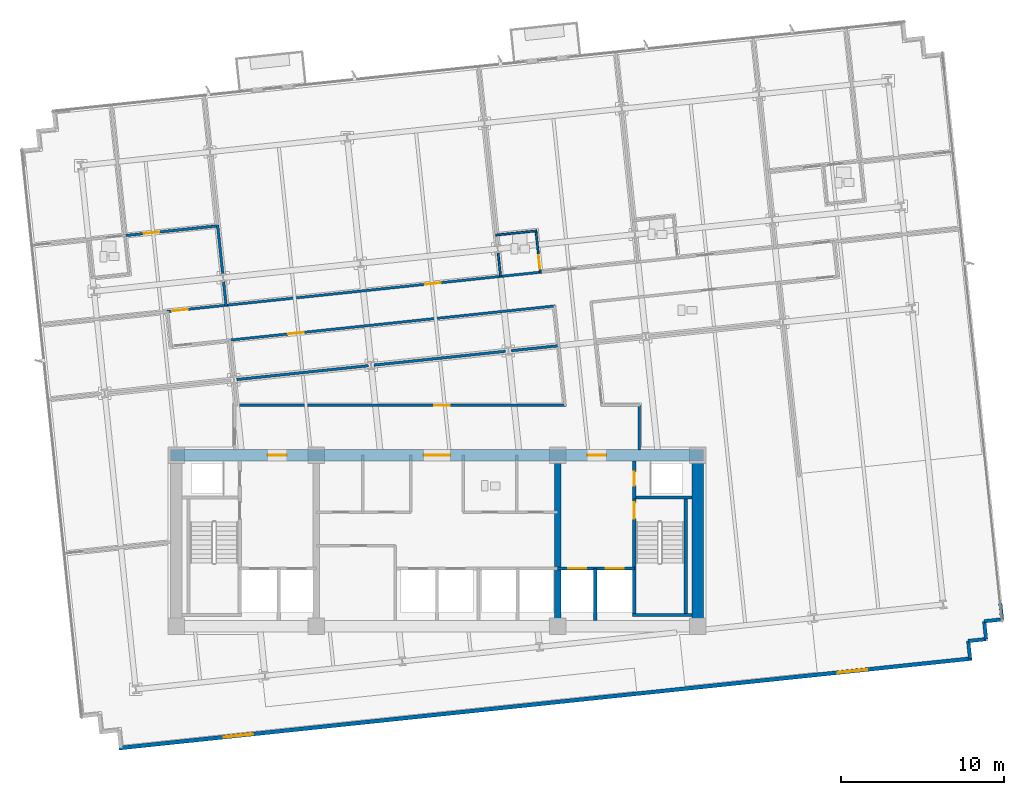
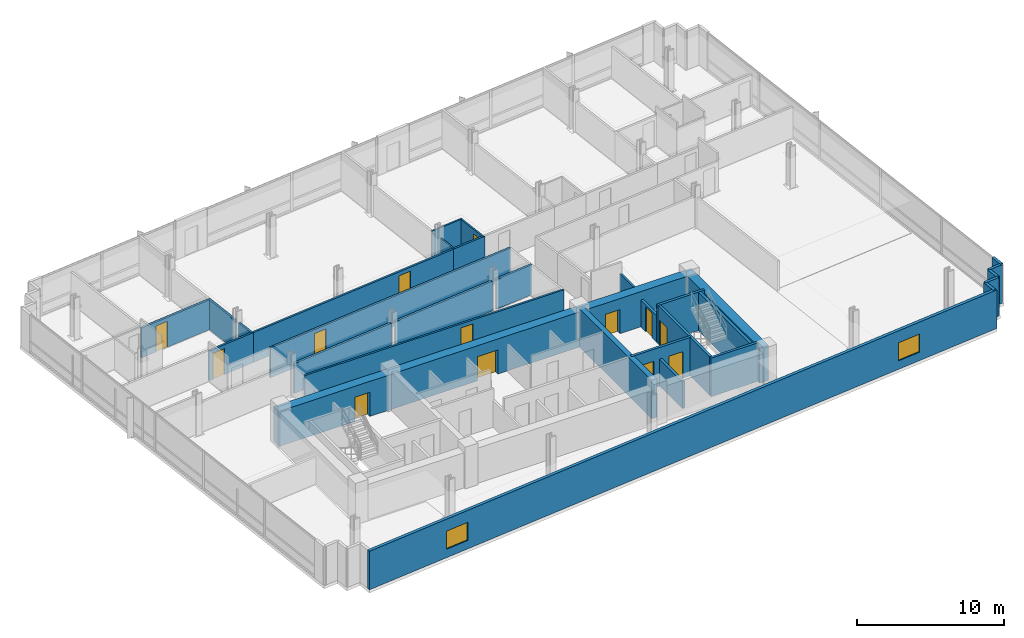
# One storey, part 11 of 18: 31 walls, 13 doors, 2 windows, 15 openings.
"""IFC4 building model written with IfcOpenShell, lengths in metres."""

from ifc_helpers import new_model, si_unit, direction, frame, frame_2d, origin, place, context, subcontext, project, spatial, rectangle, extrude, material, layer, layer_set, type_object, element, fill, save


model = new_model("IFC4")

# Units and contexts
model_context = context("Model", 3, precision=1e-05, world=origin(), true_north=direction((0.0, 1.0)))
body_context = subcontext(model_context, "Body", "Model", "MODEL_VIEW")
ifc_project = project(units=[si_unit("LENGTHUNIT", "METRE"), si_unit("AREAUNIT", "SQUARE_METRE"), si_unit("VOLUMEUNIT", "CUBIC_METRE"), si_unit("PLANEANGLEUNIT", "RADIAN"), si_unit("MASSUNIT", "GRAM", prefix="KILO")], contexts=[model_context])

# Site, building, storey
site_placement = place(None, origin())
site = spatial("IfcSite", under=ifc_project, at=site_placement, CompositionType="ELEMENT")
building_placement = place(site_placement, origin())
building = spatial("IfcBuilding", under=site, at=building_placement, Name="Solmavex Isthmus Hotel", CompositionType="ELEMENT")
storey_placement = place(building_placement, frame((0.0, 0.0, 123.60009765625)))
storey = spatial("IfcBuildingStorey", under=building, at=storey_placement, Name="L33", CompositionType="ELEMENT", Elevation=123.60009765625)

# Wall, openings, windows
ifc_material_1 = material(Name="Precast Concrete C40/50", Category="concrete")
ifc_layer_1 = layer(ifc_material_1, 0.25)
ifc_layer_set_1 = layer_set([ifc_layer_1], Name="Precast Concrete C40/50")
wall_type_1 = type_object("IfcWallType", Name="EW-TWR-250", PredefinedType="STANDARD", material=ifc_layer_set_1)
wall_1_placement = place(storey_placement, frame((-19.504150390625, -20.4716796875, 0.0), z_axis=(0.0, 0.0, 1.0), x_axis=(0.994521743132, 0.104529911687, 0.0)))
wall_1 = element("IfcWall", 1, at=wall_1_placement, inside=storey, type_object=wall_type_1, Name="Tower Rear South Facade Wall L33", PredefinedType="STANDARD", context=body_context, shape_type="SweptSolid", body=[
    extrude(rectangle(XDim=52.60009765625, YDim=0.239990234375, at=frame_2d((26.300048828125, 0.0))), origin(), (0.0, 0.0, 1.0), 3.18994140625),
])
opening_1_placement = place(wall_1_placement, frame((6.464111328125, 0.0, 0.699951171875)))
opening_1 = element("IfcOpeningElement", 2, at=opening_1_placement, cuts=wall_1, Name="Opening WN-02", PredefinedType="OPENING", context=body_context, shape_type="SweptSolid", body=[
    extrude(rectangle(XDim=1.800048828125, YDim=1.5, at=frame_2d((0.89990234375, 0.75))), frame((0.0, 0.1298828125, 0.0), z_axis=(0.0, -1.0, 0.0), x_axis=(1.0, 0.0, 0.0)), (0.0, 0.0, 1.0), 0.260009765625),
])
opening_2_placement = place(wall_1_placement, frame((44.3359375, 0.0, 0.699951171875)))
opening_2 = element("IfcOpeningElement", 3, at=opening_2_placement, cuts=wall_1, Name="Opening WN-02", PredefinedType="OPENING", context=body_context, shape_type="SweptSolid", body=[
    extrude(rectangle(XDim=1.800048828125, YDim=1.5, at=frame_2d((0.89990234375, 0.75))), frame((0.0, 0.1298828125, 0.0), z_axis=(0.0, -1.0, 0.0), x_axis=(1.0, 0.0, 0.0)), (0.0, 0.0, 1.0), 0.260009765625),
])
ifc_material_2 = material(Name="Clear low-E laminated glass", Category="glass")
window_type = type_object("IfcWindowType", Name="WIN-TWR-1800", PartitioningType="SINGLE_PANEL", PredefinedType="WINDOW", material=ifc_material_2)
window_1_placement = place(opening_1_placement, origin())
window_1 = element("IfcWindow", 4, at=window_1_placement, inside=storey, type_object=window_type, Name="South Facade Vision Window L33-S1", OverallHeight=1.5, OverallWidth=1.800048828125, PartitioningType="SINGLE_PANEL", PredefinedType="WINDOW", context=body_context, shape_type="SweptSolid", body=[
    extrude(rectangle(XDim=1.800048828125, YDim=1.5, at=frame_2d((0.89990234375, 0.75))), frame((0.0, 0.030029296875, 0.0), z_axis=(0.0, -1.0, 0.0), x_axis=(1.0, 0.0, 0.0)), (0.0, 0.0, 1.0), 0.06005859375),
])
fill(opening_1, window_1)
window_2_placement = place(opening_2_placement, origin())
window_2 = element("IfcWindow", 5, at=window_2_placement, inside=storey, type_object=window_type, Name="South Facade Vision Window L33-S2", OverallHeight=1.5, OverallWidth=1.800048828125, PartitioningType="SINGLE_PANEL", PredefinedType="WINDOW", context=body_context, shape_type="SweptSolid", body=[
    extrude(rectangle(XDim=1.800048828125, YDim=1.5, at=frame_2d((0.89990234375, 0.75))), frame((0.0, 0.030029296875, 0.0), z_axis=(0.0, -1.0, 0.0), x_axis=(1.0, 0.0, 0.0)), (0.0, 0.0, 1.0), 0.06005859375),
])
fill(opening_2, window_2)

# Walls
wall_2_placement = place(storey_placement, frame((34.553955078125, -11.59228515625, 0.0), z_axis=(0.0, 0.0, 1.0), x_axis=(0.104556418955, -0.99451895671, 0.0)))
element("IfcWall", 6, at=wall_2_placement, inside=storey, type_object=wall_type_1, Name="Serrated Corner Facade Panel L33-21", PredefinedType="STANDARD", context=body_context, shape_type="SweptSolid", body=[
    extrude(rectangle(XDim=0.989990234375, YDim=0.219970703125, at=frame_2d((0.4951171875, 0.0))), origin(), (0.0, 0.0, 1.0), 3.18994140625),
])
for number, where, z_axis, x_axis, name in (
    (7, (34.657470703125, -12.576904296875, 0.0), (0.0, 0.0, 1.0), (-0.994521251134, -0.104534592565, 0.0), "Serrated Corner Facade Panel L33-22"),
    (8, (33.5634765625, -12.69189453125, 0.0), (0.0, 0.0, 1.0), (0.104534592565, -0.994521251134, 0.0), "Serrated Corner Facade Panel L33-23"),
    (9, (33.678466796875, -13.785888671875, 0.0), (0.0, 0.0, 1.0), (-0.994521251134, -0.104534592565, 0.0), "Serrated Corner Facade Panel L33-24"),
    (10, (32.58447265625, -13.90087890625, 0.0), (0.0, 0.0, 1.0), (0.104534592565, -0.994521251134, 0.0), "Serrated Corner Facade Panel L33-25"),
):
    element("IfcWall", number, at=place(storey_placement, frame(where, z_axis=z_axis, x_axis=x_axis)), inside=storey, type_object=wall_type_1, Name=name, PredefinedType="STANDARD", context=body_context, shape_type="SweptSolid", body=[
        extrude(rectangle(XDim=1.10009765625, YDim=0.219970703125, at=frame_2d((0.550048828125, 0.0))), origin(), (0.0, 0.0, 1.0), 3.18994140625),
    ])

# Wall, opening, door
ifc_material_3 = material(Name="Gypsum plasterboard lining", Category="gypsum")
ifc_layer_2 = layer(ifc_material_3, 0.159912109375)
ifc_layer_set_2 = layer_set([ifc_layer_2], Name="Gypsum plasterboard lining")
wall_type_2 = type_object("IfcWallType", Name="IW-COMP-160", PredefinedType="PARTITIONING", material=ifc_layer_set_2)
wall_3_placement = place(storey_placement, frame((-19.19384765625, 10.9609375, 0.0), z_axis=(0.0, 0.0, 1.0), x_axis=(0.994518330886, 0.104562371486, 0.0)))
wall_3 = element("IfcWall", 11, at=wall_3_placement, inside=storey, type_object=wall_type_2, Name="Interior Partition Wall W-L33-P023", PredefinedType="PARTITIONING", context=body_context, shape_type="SweptSolid", body=[
    extrude(rectangle(XDim=5.81396484375, YDim=0.159912109375, at=frame_2d((2.906982421875, 0.0))), origin(), (0.0, 0.0, 1.0), 2.4794921875),
])
opening_3_placement = place(wall_3_placement, frame((1.227783203125, 0.0, 0.0)))
opening_3 = element("IfcOpeningElement", 12, at=opening_3_placement, cuts=wall_3, Name="Opening ID-C095", PredefinedType="OPENING", context=body_context, shape_type="SweptSolid", body=[
    extrude(rectangle(XDim=0.949951171875, YDim=2.14990234375, at=frame_2d((0.47509765625, 1.074951171875))), frame((0.0, 0.08984375, 0.0), z_axis=(0.0, -1.0, 0.0), x_axis=(1.0, 0.0, 0.0)), (0.0, 0.0, 1.0), 0.179931640625),
])
ifc_material_4 = material(Name="Hardwood timber", Category="wood")
door_type_1 = type_object("IfcDoorType", Name="IDR-FD60-0950", OperationType="NOTDEFINED", PredefinedType="DOOR", material=ifc_material_4)
door_1_placement = place(opening_3_placement, origin())
door_1 = element("IfcDoor", 13, at=door_1_placement, inside=storey, type_object=door_type_1, Name="Premier Corner Suite Sitting Lounge Door L33-03", OperationType="SINGLE_SWING_LEFT", OverallHeight=2.14990234375, OverallWidth=0.949951171875, PredefinedType="DOOR", context=body_context, shape_type="SweptSolid", body=[
    extrude(rectangle(XDim=0.949951171875, YDim=2.14990234375, at=frame_2d((0.47509765625, 1.074951171875))), frame((0.0, 0.02490234375, 0.0), z_axis=(0.0, -1.0, 0.0), x_axis=(1.0, 0.0, 0.0)), (0.0, 0.0, 1.0), 0.050048828125),
])
fill(opening_3, door_1)

# Walls
wall_4_placement = place(storey_placement, frame((-13.455810546875, 11.604248046875, 0.0), z_axis=(0.0, 0.0, 1.0), x_axis=(0.104552041268, -0.994519416938, 0.0)))
element("IfcWall", 14, at=wall_4_placement, inside=storey, type_object=wall_type_2, Name="Interior Partition Wall W-L33-P027", PredefinedType="PARTITIONING", context=body_context, shape_type="SweptSolid", body=[
    extrude(rectangle(XDim=3.063720703125, YDim=0.159912109375, at=frame_2d((1.53173828125, 0.0))), origin(), (0.0, 0.0, 1.0), 2.4794921875),
])
wall_5_placement = place(storey_placement, frame((-13.0986328125, 8.206787109375, 0.0), z_axis=(0.0, 0.0, 1.0), x_axis=(0.104578999325, -0.994516582516, 0.0)))
element("IfcWall", 15, at=wall_5_placement, inside=storey, type_object=wall_type_2, Name="Interior Partition Wall W-L33-P028", PredefinedType="PARTITIONING", context=body_context, shape_type="SweptSolid", body=[
    extrude(rectangle(XDim=1.561767578125, YDim=0.159912109375, at=frame_2d((0.78076171875, 0.0))), origin(), (0.0, 0.0, 1.0), 2.4794921875),
])
wall_6_placement = place(storey_placement, frame((-4.21435546875, 2.985107421875, 0.0), z_axis=(0.0, 0.0, 1.0), x_axis=(-0.994521269983, -0.104534413238, 0.0)))
element("IfcWall", 16, at=wall_6_placement, inside=storey, type_object=wall_type_2, Name="Interior Partition Wall W-L33-P062", PredefinedType="PARTITIONING", context=body_context, shape_type="SweptSolid", body=[
    extrude(rectangle(XDim=8.113525390625, YDim=0.159912109375, at=frame_2d((4.056640625, 0.0))), origin(), (0.0, 0.0, 1.0), 2.4794921875),
])
wall_7_placement = place(storey_placement, frame((4.205322265625, 3.8701171875, 0.0), z_axis=(0.0, 0.0, 1.0), x_axis=(-0.994521598781, -0.104531285071, 0.0)))
element("IfcWall", 17, at=wall_7_placement, inside=storey, type_object=wall_type_2, Name="Interior Partition Wall W-L33-P063", PredefinedType="PARTITIONING", context=body_context, shape_type="SweptSolid", body=[
    extrude(rectangle(XDim=8.11376953125, YDim=0.159912109375, at=frame_2d((4.056884765625, 0.0))), origin(), (0.0, 0.0, 1.0), 2.4794921875),
])
wall_8_placement = place(storey_placement, frame((7.51611328125, 4.218017578125, 0.0), z_axis=(0.0, 0.0, 1.0), x_axis=(-0.994526106058, -0.104488393462, 0.0)))
element("IfcWall", 18, at=wall_8_placement, inside=storey, type_object=wall_type_2, Name="Interior Partition Wall W-L33-P064", PredefinedType="PARTITIONING", context=body_context, shape_type="SweptSolid", body=[
    extrude(rectangle(XDim=2.976806640625, YDim=0.159912109375, at=frame_2d((1.48828125, 0.0))), origin(), (0.0, 0.0, 1.0), 2.4794921875),
])

# Wall, opening, door
ifc_layer_3 = layer(ifc_material_3, 0.14990234375)
ifc_layer_set_3 = layer_set([ifc_layer_3], Name="Gypsum plasterboard lining")
wall_type_3 = type_object("IfcWallType", Name="IW-CORR-150", PredefinedType="PARTITIONING", material=ifc_layer_set_3)
wall_9_placement = place(storey_placement, frame((-16.5595703125, 6.31298828125, 0.0), z_axis=(0.0, 0.0, 1.0), x_axis=(0.994525204328, 0.104496975826, 0.0)))
wall_9 = element("IfcWall", 19, at=wall_9_placement, inside=storey, type_object=wall_type_3, Name="Interior Partition Wall W-L33-P001", PredefinedType="PARTITIONING", context=body_context, shape_type="SweptSolid", body=[
    extrude(rectangle(XDim=3.7216796875, YDim=0.14990234375, at=frame_2d((1.86083984375, 0.0))), origin(), (0.0, 0.0, 1.0), 2.4794921875),
])
opening_4_placement = place(wall_9_placement, frame((0.315185546875, 0.0, 0.0)))
opening_4 = element("IfcOpeningElement", 20, at=opening_4_placement, cuts=wall_9, Name="Opening ID-C095", PredefinedType="OPENING", context=body_context, shape_type="SweptSolid", body=[
    extrude(rectangle(XDim=0.949951171875, YDim=2.14990234375, at=frame_2d((0.47509765625, 1.074951171875))), frame((0.0, 0.0849609375, 0.0), z_axis=(0.0, -1.0, 0.0), x_axis=(1.0, 0.0, 0.0)), (0.0, 0.0, 1.0), 0.169921875),
])
door_2_placement = place(opening_4_placement, frame((0.949951171875, 0.0, 0.0), z_axis=(0.0, 0.0, 1.0), x_axis=(-1.0, 0.0, 0.0)))
door_2 = element("IfcDoor", 21, at=door_2_placement, inside=storey, type_object=door_type_1, Name="Premier Corner Suite Reception Foyer Door L33-01", OperationType="SINGLE_SWING_LEFT", OverallHeight=2.14990234375, OverallWidth=0.949951171875, PredefinedType="DOOR", context=body_context, shape_type="SweptSolid", body=[
    extrude(rectangle(XDim=0.949951171875, YDim=2.14990234375, at=frame_2d((0.47509765625, 1.074951171875))), frame((0.0, 0.02490234375, 0.0), z_axis=(0.0, -1.0, 0.0), x_axis=(1.0, 0.0, 0.0)), (0.0, 0.0, 1.0), 0.050048828125),
])
fill(opening_4, door_2)

wall_10_placement = place(storey_placement, frame((-13.021240234375, 6.684814453125, 0.0), z_axis=(0.0, 0.0, 1.0), x_axis=(0.994521404201, 0.104533136308, 0.0)))
wall_10 = element("IfcWall", 22, at=wall_10_placement, inside=storey, type_object=wall_type_3, Name="Interior Partition Wall W-L33-P002", PredefinedType="PARTITIONING", context=body_context, shape_type="SweptSolid", body=[
    extrude(rectangle(XDim=17.09619140625, YDim=0.14990234375, at=frame_2d((8.548095703125, 0.0))), origin(), (0.0, 0.0, 1.0), 2.4794921875),
])
opening_5_placement = place(wall_10_placement, frame((12.361083984375, 0.0, 0.0)))
opening_5 = element("IfcOpeningElement", 23, at=opening_5_placement, cuts=wall_10, Name="Opening ID-C095", PredefinedType="OPENING", context=body_context, shape_type="SweptSolid", body=[
    extrude(rectangle(XDim=0.949951171875, YDim=2.14990234375, at=frame_2d((0.47509765625, 1.074951171875))), frame((0.0, 0.0849609375, 0.0), z_axis=(0.0, -1.0, 0.0), x_axis=(1.0, 0.0, 0.0)), (0.0, 0.0, 1.0), 0.169921875),
])
door_3_placement = place(opening_5_placement, frame((0.949951171875, 0.0, 0.0), z_axis=(0.0, 0.0, 1.0), x_axis=(-1.0, 0.0, 0.0)))
door_3 = element("IfcDoor", 24, at=door_3_placement, inside=storey, type_object=door_type_1, Name="Corporate Briefing Office Door L33-05", OperationType="SINGLE_SWING_LEFT", OverallHeight=2.14990234375, OverallWidth=0.949951171875, PredefinedType="DOOR", context=body_context, shape_type="SweptSolid", body=[
    extrude(rectangle(XDim=0.949951171875, YDim=2.14990234375, at=frame_2d((0.47509765625, 1.074951171875))), frame((0.0, 0.02490234375, 0.0), z_axis=(0.0, -1.0, 0.0), x_axis=(1.0, 0.0, 0.0)), (0.0, 0.0, 1.0), 0.050048828125),
])
fill(opening_5, door_3)

# Wall
wall_11_placement = place(storey_placement, frame((3.818115234375, 8.454833984375, 0.0), z_axis=(0.0, 0.0, 1.0), x_axis=(0.994523350694, 0.104514615837, 0.0)))
element("IfcWall", 25, at=wall_11_placement, inside=storey, type_object=wall_type_3, Name="Interior Partition Wall W-L33-P004", PredefinedType="PARTITIONING", context=body_context, shape_type="SweptSolid", body=[
    extrude(rectangle(XDim=2.614013671875, YDim=0.14990234375, at=frame_2d((1.30712890625, 0.0))), origin(), (0.0, 0.0, 1.0), 2.4794921875),
])

# Wall, opening, door
wall_12_placement = place(storey_placement, frame((7.260009765625, 6.654541015625, 0.0), z_axis=(0.0, 0.0, 1.0), x_axis=(-0.994522421445, -0.104523457861, 0.0)))
wall_12 = element("IfcWall", 26, at=wall_12_placement, inside=storey, type_object=wall_type_3, Name="Interior Partition Wall W-L33-P013", PredefinedType="PARTITIONING", context=body_context, shape_type="SweptSolid", body=[
    extrude(rectangle(XDim=20.166748046875, YDim=0.14990234375, at=frame_2d((10.08349609375, 0.0))), origin(), (0.0, 0.0, 1.0), 2.4794921875),
])
opening_6_placement = place(wall_12_placement, frame((15.51416015625, 0.0, 0.0)))
opening_6 = element("IfcOpeningElement", 27, at=opening_6_placement, cuts=wall_12, Name="Opening ID-C095", PredefinedType="OPENING", context=body_context, shape_type="SweptSolid", body=[
    extrude(rectangle(XDim=0.949951171875, YDim=2.14990234375, at=frame_2d((0.47509765625, 1.074951171875))), frame((0.0, 0.0849609375, 0.0), z_axis=(0.0, -1.0, 0.0), x_axis=(1.0, 0.0, 0.0)), (0.0, 0.0, 1.0), 0.169921875),
])
door_4_placement = place(opening_6_placement, frame((0.949951171875, 0.0, 0.0), z_axis=(0.0, 0.0, 1.0), x_axis=(-1.0, 0.0, 0.0)))
door_4 = element("IfcDoor", 28, at=door_4_placement, inside=storey, type_object=door_type_1, Name="Executive Boardroom Door L33-16", OperationType="SINGLE_SWING_RIGHT", OverallHeight=2.14990234375, OverallWidth=0.949951171875, PredefinedType="DOOR", context=body_context, shape_type="SweptSolid", body=[
    extrude(rectangle(XDim=0.949951171875, YDim=2.14990234375, at=frame_2d((0.47509765625, 1.074951171875))), frame((0.0, 0.02490234375, 0.0), z_axis=(0.0, -1.0, 0.0), x_axis=(1.0, 0.0, 0.0)), (0.0, 0.0, 1.0), 0.050048828125),
])
fill(opening_6, door_4)

wall_13_placement = place(storey_placement, frame((-12.376220703125, 0.550048828125, 0.0), z_axis=(0.0, 0.0, 1.0), x_axis=(1.0, 0.0, 0.0)))
wall_13 = element("IfcWall", 29, at=wall_13_placement, inside=storey, type_object=wall_type_3, Name="Interior Partition Wall W-L33-P014", PredefinedType="PARTITIONING", context=body_context, shape_type="SweptSolid", body=[
    extrude(rectangle(XDim=20.27783203125, YDim=0.14990234375, at=frame_2d((10.138916015625, 0.0))), origin(), (0.0, 0.0, 1.0), 2.4794921875),
])
opening_7_placement = place(wall_13_placement, frame((12.208740234375, 0.0, 0.0)))
opening_7 = element("IfcOpeningElement", 30, at=opening_7_placement, cuts=wall_13, Name="Opening ID-C095", PredefinedType="OPENING", context=body_context, shape_type="SweptSolid", body=[
    extrude(rectangle(XDim=0.949951171875, YDim=2.14990234375, at=frame_2d((0.47509765625, 1.074951171875))), frame((0.0, 0.0849609375, 0.0), z_axis=(0.0, -1.0, 0.0), x_axis=(1.0, 0.0, 0.0)), (0.0, 0.0, 1.0), 0.169921875),
])
door_5_placement = place(opening_7_placement, frame((0.949951171875, 0.0, 0.0), z_axis=(0.0, 0.0, 1.0), x_axis=(-1.0, 0.0, 0.0)))
door_5 = element("IfcDoor", 31, at=door_5_placement, inside=storey, type_object=door_type_1, Name="Wellness Treatment Room Door L33-17", OperationType="SINGLE_SWING_LEFT", OverallHeight=2.14990234375, OverallWidth=0.949951171875, PredefinedType="DOOR", context=body_context, shape_type="SweptSolid", body=[
    extrude(rectangle(XDim=0.949951171875, YDim=2.14990234375, at=frame_2d((0.47509765625, 1.074951171875))), frame((0.0, 0.02490234375, 0.0), z_axis=(0.0, -1.0, 0.0), x_axis=(1.0, 0.0, 0.0)), (0.0, 0.0, 1.0), 0.050048828125),
])
fill(opening_7, door_5)

# Walls
wall_14_placement = place(storey_placement, frame((12.39990234375, 0.590087890625, 0.0), z_axis=(0.0, 0.0, 1.0), x_axis=(0.0, -1.0, 0.0)))
element("IfcWall", 32, at=wall_14_placement, inside=storey, type_object=wall_type_3, Name="Interior Partition Wall W-L33-P021", PredefinedType="PARTITIONING", context=body_context, shape_type="SweptSolid", body=[
    extrude(rectangle(XDim=2.780029296875, YDim=0.14990234375, at=frame_2d((1.39013671875, 0.0))), origin(), (0.0, 0.0, 1.0), 2.224853515625),
])
ifc_layer_4 = layer(ifc_material_3, 0.1201171875)
ifc_layer_set_4 = layer_set([ifc_layer_4], Name="Gypsum plasterboard lining")
wall_type_4 = type_object("IfcWallType", Name="IW-PART-120", PredefinedType="PARTITIONING", material=ifc_layer_set_4)
wall_15_placement = place(storey_placement, frame((3.740478515625, 9.976806640625, 0.0), z_axis=(0.0, 0.0, 1.0), x_axis=(0.104578999325, -0.994516582516, 0.0)))
element("IfcWall", 33, at=wall_15_placement, inside=storey, type_object=wall_type_4, Name="Interior Partition Wall W-L33-P036", PredefinedType="PARTITIONING", context=body_context, shape_type="SweptSolid", body=[
    extrude(rectangle(XDim=1.561767578125, YDim=0.1201171875, at=frame_2d((0.78076171875, 0.0))), origin(), (0.0, 0.0, 1.0), 2.4794921875),
])

# Wall, opening, door
wall_16_placement = place(storey_placement, frame((6.34033203125, 8.6796875, 0.0), z_axis=(0.0, 0.0, 1.0), x_axis=(-0.104530146087, 0.994521718495, 0.0)))
wall_16 = element("IfcWall", 34, at=wall_16_placement, inside=storey, type_object=wall_type_4, Name="Interior Partition Wall W-L33-P037", PredefinedType="PARTITIONING", context=body_context, shape_type="SweptSolid", body=[
    extrude(rectangle(XDim=2.6298828125, YDim=0.1201171875, at=frame_2d((1.31494140625, 0.0))), origin(), (0.0, 0.0, 1.0), 2.4794921875),
])
opening_8_placement = place(wall_16_placement, frame((0.247314453125, 0.0, 0.0)))
opening_8 = element("IfcOpeningElement", 35, at=opening_8_placement, cuts=wall_16, Name="Opening ID-U085", PredefinedType="OPENING", context=body_context, shape_type="SweptSolid", body=[
    extrude(rectangle(XDim=0.85009765625, YDim=2.10009765625, at=frame_2d((0.425048828125, 1.050048828125))), frame((0.0, 0.070068359375, 0.0), z_axis=(0.0, -1.0, 0.0), x_axis=(1.0, 0.0, 0.0)), (0.0, 0.0, 1.0), 0.14013671875),
])
door_type_2 = type_object("IfcDoorType", Name="IDR-UNR-0850", OperationType="NOTDEFINED", PredefinedType="DOOR", material=ifc_material_4)
door_6_placement = place(opening_8_placement, frame((0.85009765625, 0.0, 0.0), z_axis=(0.0, 0.0, 1.0), x_axis=(-1.0, 0.0, 0.0)))
door_6 = element("IfcDoor", 36, at=door_6_placement, inside=storey, type_object=door_type_2, Name="En-suite Bathroom Door L33-07", OperationType="SINGLE_SWING_LEFT", OverallHeight=2.10009765625, OverallWidth=0.85009765625, PredefinedType="DOOR", context=body_context, shape_type="SweptSolid", body=[
    extrude(rectangle(XDim=0.85009765625, YDim=2.10009765625, at=frame_2d((0.425048828125, 1.050048828125))), frame((0.0, 0.02490234375, 0.0), z_axis=(0.0, -1.0, 0.0), x_axis=(1.0, 0.0, 0.0)), (0.0, 0.0, 1.0), 0.050048828125),
])
fill(opening_8, door_6)

# Wall
wall_17_placement = place(storey_placement, frame((6.109375, 11.259521484375, 0.0), z_axis=(0.0, 0.0, 1.0), x_axis=(-0.994523944136, -0.104508968707, 0.0)))
element("IfcWall", 37, at=wall_17_placement, inside=storey, type_object=wall_type_4, Name="Interior Partition Wall W-L33-P038", PredefinedType="PARTITIONING", context=body_context, shape_type="SweptSolid", body=[
    extrude(rectangle(XDim=2.530029296875, YDim=0.1201171875, at=frame_2d((1.26513671875, 0.0))), origin(), (0.0, 0.0, 1.0), 2.4794921875),
])

# Wall, opening, door
ifc_material_5 = material(Name="Concrete C40/50", Category="concrete")
ifc_layer_5 = layer(ifc_material_5, 0.199951171875)
ifc_layer_set_5 = layer_set([ifc_layer_5], Name="Concrete C40/50")
wall_type_5 = type_object("IfcWallType", Name="IW-SHAFT-200", PredefinedType="PARTITIONING", material=ifc_layer_set_5)
wall_18_placement = place(storey_placement, frame((12.10009765625, -5.199951171875, 0.0), z_axis=(0.0, 0.0, 1.0), x_axis=(0.0, 1.0, 0.0)))
wall_18 = element("IfcWall", 38, at=wall_18_placement, inside=storey, type_object=wall_type_5, Name="Interior Partition Wall W-L33-RSE-W", PredefinedType="PARTITIONING", context=body_context, shape_type="SweptSolid", body=[
    extrude(rectangle(XDim=2.349853515625, YDim=0.199951171875, at=frame_2d((1.1748046875, 0.0))), origin(), (0.0, 0.0, 1.0), 2.224853515625),
])
opening_9_placement = place(wall_18_placement, frame((0.824951171875, 0.0, 0.0)))
opening_9 = element("IfcOpeningElement", 39, at=opening_9_placement, cuts=wall_18, Name="Opening ID-R085", PredefinedType="OPENING", context=body_context, shape_type="SweptSolid", body=[
    extrude(rectangle(XDim=0.85009765625, YDim=2.050048828125, at=frame_2d((0.425048828125, 1.02490234375))), frame((0.0, 0.10986328125, 0.0), z_axis=(0.0, -1.0, 0.0), x_axis=(1.0, 0.0, 0.0)), (0.0, 0.0, 1.0), 0.219970703125),
])
ifc_material_6 = material(Name="Steel ASTM A500 Grade C", Category="steel")
door_type_3 = type_object("IfcDoorType", Name="IDR-FD60-0850", OperationType="NOTDEFINED", PredefinedType="DOOR", material=ifc_material_6)
door_7_placement = place(opening_9_placement, frame((0.85009765625, 0.0, 0.0), z_axis=(0.0, 0.0, 1.0), x_axis=(-1.0, 0.0, 0.0)))
door_7 = element("IfcDoor", 40, at=door_7_placement, inside=storey, type_object=door_type_3, Name="Mechanical Riser Door L33", OperationType="SINGLE_SWING_LEFT", OverallHeight=2.050048828125, OverallWidth=0.85009765625, PredefinedType="DOOR", context=body_context, shape_type="SweptSolid", body=[
    extrude(rectangle(XDim=0.85009765625, YDim=2.050048828125, at=frame_2d((0.425048828125, 1.02490234375))), frame((0.0, 0.02490234375, 0.0), z_axis=(0.0, -1.0, 0.0), x_axis=(1.0, 0.0, 0.0)), (0.0, 0.0, 1.0), 0.050048828125),
])
fill(opening_9, door_7)

# Wall, openings, doors
wall_19_placement = place(storey_placement, frame((7.39990234375, -9.449951171875, 0.0), z_axis=(0.0, 0.0, 1.0), x_axis=(1.0, 0.0, 0.0)))
wall_19 = element("IfcWall", 41, at=wall_19_placement, inside=storey, type_object=wall_type_5, Name="Interior Partition Wall W-L33-FFLE-S", PredefinedType="PARTITIONING", context=body_context, shape_type="SweptSolid", body=[
    extrude(rectangle(XDim=4.7001953125, YDim=0.199951171875, at=frame_2d((2.35009765625, 0.0))), origin(), (0.0, 0.0, 1.0), 3.18994140625),
])
opening_10_placement = place(wall_19_placement, frame((2.949951171875, 0.0, 0.0)))
opening_10 = element("IfcOpeningElement", 42, at=opening_10_placement, cuts=wall_19, Name="Opening LD-FF", PredefinedType="OPENING", context=body_context, shape_type="SweptSolid", body=[
    extrude(rectangle(XDim=1.10009765625, YDim=2.199951171875, at=frame_2d((0.550048828125, 1.10009765625))), frame((0.0, 0.10986328125, 0.0), z_axis=(0.0, -1.0, 0.0), x_axis=(1.0, 0.0, 0.0)), (0.0, 0.0, 1.0), 0.219970703125),
])
opening_11_placement = place(wall_19_placement, frame((0.64990234375, 0.0, 0.0)))
opening_11 = element("IfcOpeningElement", 43, at=opening_11_placement, cuts=wall_19, Name="Opening LD-SV", PredefinedType="OPENING", context=body_context, shape_type="SweptSolid", body=[
    extrude(rectangle(XDim=1.10009765625, YDim=2.199951171875, at=frame_2d((0.550048828125, 1.10009765625))), frame((0.0, 0.10986328125, 0.0), z_axis=(0.0, -1.0, 0.0), x_axis=(1.0, 0.0, 0.0)), (0.0, 0.0, 1.0), 0.219970703125),
])
ifc_material_7 = material(Name="Stainless steel 316", Category="steel")
door_type_4 = type_object("IfcDoorType", Name="LDR-FF-1100", OperationType="NOTDEFINED", PredefinedType="DOOR", material=ifc_material_7)
door_8_placement = place(opening_10_placement, origin())
door_8 = element("IfcDoor", 44, at=door_8_placement, inside=storey, type_object=door_type_4, Name="Lift Landing Door FFL-2 L33", OperationType="SLIDING_TO_LEFT", OverallHeight=2.199951171875, OverallWidth=1.10009765625, PredefinedType="DOOR", context=body_context, shape_type="SweptSolid", body=[
    extrude(rectangle(XDim=1.10009765625, YDim=2.199951171875, at=frame_2d((0.550048828125, 1.10009765625))), frame((0.0, 0.02490234375, 0.0), z_axis=(0.0, -1.0, 0.0), x_axis=(1.0, 0.0, 0.0)), (0.0, 0.0, 1.0), 0.050048828125),
])
fill(opening_10, door_8)
door_type_5 = type_object("IfcDoorType", Name="LDR-SV-1100", OperationType="NOTDEFINED", PredefinedType="DOOR", material=ifc_material_7)
door_9_placement = place(opening_11_placement, origin())
door_9 = element("IfcDoor", 45, at=door_9_placement, inside=storey, type_object=door_type_5, Name="Lift Landing Door SVL-2 L33", OperationType="SLIDING_TO_RIGHT", OverallHeight=2.199951171875, OverallWidth=1.10009765625, PredefinedType="DOOR", context=body_context, shape_type="SweptSolid", body=[
    extrude(rectangle(XDim=1.10009765625, YDim=2.199951171875, at=frame_2d((0.550048828125, 1.10009765625))), frame((0.0, 0.02490234375, 0.0), z_axis=(0.0, -1.0, 0.0), x_axis=(1.0, 0.0, 0.0)), (0.0, 0.0, 1.0), 0.050048828125),
])
fill(opening_11, door_9)

# Walls
wall_20_placement = place(storey_placement, frame((9.699951171875, -12.64990234375, 0.0), z_axis=(0.0, 0.0, 1.0), x_axis=(0.0, 1.0, 0.0)))
element("IfcWall", 46, at=wall_20_placement, inside=storey, type_object=wall_type_5, Name="Interior Partition Wall W-L33-FFLE-M", PredefinedType="PARTITIONING", context=body_context, shape_type="SweptSolid", body=[
    extrude(rectangle(XDim=3.199951171875, YDim=0.199951171875, at=frame_2d((1.60009765625, 0.0))), origin(), (0.0, 0.0, 1.0), 2.224853515625),
])
ifc_material_8 = material(Name="Concrete C60/75", Category="concrete")
ifc_layer_6 = layer(ifc_material_8, 0.39990234375)
ifc_layer_set_6 = layer_set([ifc_layer_6], Name="Concrete C60/75")
wall_type_6 = type_object("IfcWallType", Name="WALL-CW-400M", PredefinedType="SHEAR", material=ifc_layer_set_6)
wall_21_placement = place(storey_placement, frame((7.39990234375, -12.64990234375, 0.0), z_axis=(0.0, 0.0, 1.0), x_axis=(0.0, 1.0, 0.0)))
element("IfcWall", 47, at=wall_21_placement, inside=storey, type_object=wall_type_6, Name="Core Cross Shear Wall C2 L33", PredefinedType="SHEAR", context=body_context, shape_type="SweptSolid", body=[
    extrude(rectangle(XDim=9.7998046875, YDim=0.39990234375, at=frame_2d((4.89990234375, 0.0))), origin(), (0.0, 0.0, 1.0), 3.18994140625),
])

# Wall, openings, doors
ifc_layer_7 = layer(ifc_material_8, 0.699951171875)
ifc_layer_set_7 = layer_set([ifc_layer_7], Name="Concrete C60/75")
wall_type_7 = type_object("IfcWallType", Name="WALL-CW-700", PredefinedType="SHEAR", material=ifc_layer_set_7)
wall_22_placement = place(storey_placement, frame((-16.35009765625, -2.5, 0.0), z_axis=(0.0, 0.0, 1.0), x_axis=(1.0, 0.0, 0.0)))
wall_22 = element("IfcWall", 48, at=wall_22_placement, inside=storey, type_object=wall_type_7, Name="Core Shear Wall North L33", PredefinedType="SHEAR", context=body_context, shape_type="SweptSolid", body=[
    extrude(rectangle(XDim=32.7001953125, YDim=0.699951171875, at=frame_2d((16.35009765625, 0.0))), origin(), (0.0, 0.0, 1.0), 2.909912109375),
])
opening_12_placement = place(wall_22_placement, frame((5.97509765625, 0.0, 0.0)))
opening_12 = element("IfcOpeningElement", 49, at=opening_12_placement, cuts=wall_22, Name="Opening ID-F915", PredefinedType="OPENING", context=body_context, shape_type="SweptSolid", body=[
    extrude(rectangle(XDim=1.14990234375, YDim=2.0, at=frame_2d((0.574951171875, 1.0))), frame((0.0, 0.35986328125, 0.0), z_axis=(0.0, -1.0, 0.0), x_axis=(1.0, 0.0, 0.0)), (0.0, 0.0, 1.0), 0.719970703125),
])
opening_13_placement = place(wall_22_placement, frame((15.550048828125, 0.0, 0.0)))
opening_13 = element("IfcOpeningElement", 50, at=opening_13_placement, cuts=wall_22, Name="Opening ID-F960", PredefinedType="OPENING", context=body_context, shape_type="SweptSolid", body=[
    extrude(rectangle(XDim=1.60009765625, YDim=2.0, at=frame_2d((0.800048828125, 1.0))), frame((0.0, 0.35986328125, 0.0), z_axis=(0.0, -1.0, 0.0), x_axis=(1.0, 0.0, 0.0)), (0.0, 0.0, 1.0), 0.719970703125),
])
opening_14_placement = place(wall_22_placement, frame((25.574951171875, 0.0, 0.0)))
opening_14 = element("IfcOpeningElement", 51, at=opening_14_placement, cuts=wall_22, Name="Opening ID-F915", PredefinedType="OPENING", context=body_context, shape_type="SweptSolid", body=[
    extrude(rectangle(XDim=1.14990234375, YDim=2.0, at=frame_2d((0.574951171875, 1.0))), frame((0.0, 0.35986328125, 0.0), z_axis=(0.0, -1.0, 0.0), x_axis=(1.0, 0.0, 0.0)), (0.0, 0.0, 1.0), 0.719970703125),
])
door_type_6 = type_object("IfcDoorType", Name="IDR-FD90-1150C", OperationType="NOTDEFINED", PredefinedType="DOOR", material=ifc_material_6)
door_10_placement = place(opening_12_placement, origin())
door_10 = element("IfcDoor", 52, at=door_10_placement, inside=storey, type_object=door_type_6, Name="Firefighting Lobby West Exit Door L33", OperationType="SINGLE_SWING_LEFT", OverallHeight=2.0, OverallWidth=1.14990234375, PredefinedType="DOOR", context=body_context, shape_type="SweptSolid", body=[
    extrude(rectangle(XDim=1.14990234375, YDim=2.0, at=frame_2d((0.574951171875, 1.0))), frame((0.0, 0.02490234375, 0.0), z_axis=(0.0, -1.0, 0.0), x_axis=(1.0, 0.0, 0.0)), (0.0, 0.0, 1.0), 0.050048828125),
])
fill(opening_12, door_10)
door_11_placement = place(opening_14_placement, origin())
door_11 = element("IfcDoor", 53, at=door_11_placement, inside=storey, type_object=door_type_6, Name="Firefighting Lobby East Exit Door L33", OperationType="SINGLE_SWING_RIGHT", OverallHeight=2.0, OverallWidth=1.14990234375, PredefinedType="DOOR", context=body_context, shape_type="SweptSolid", body=[
    extrude(rectangle(XDim=1.14990234375, YDim=2.0, at=frame_2d((0.574951171875, 1.0))), frame((0.0, 0.02490234375, 0.0), z_axis=(0.0, -1.0, 0.0), x_axis=(1.0, 0.0, 0.0)), (0.0, 0.0, 1.0), 0.050048828125),
])
fill(opening_14, door_11)
door_type_7 = type_object("IfcDoorType", Name="IDR-FD90-1600C", OperationType="NOTDEFINED", PredefinedType="DOOR", material=ifc_material_6)
door_12_placement = place(opening_13_placement, origin())
door_12 = element("IfcDoor", 54, at=door_12_placement, inside=storey, type_object=door_type_7, Name="Central Lift Lobby Door L33", OperationType="DOUBLE_DOOR_SINGLE_SWING", OverallHeight=2.0, OverallWidth=1.60009765625, PredefinedType="DOOR", context=body_context, shape_type="SweptSolid", body=[
    extrude(rectangle(XDim=1.60009765625, YDim=2.0, at=frame_2d((0.800048828125, 1.0))), frame((0.0, 0.02490234375, 0.0), z_axis=(0.0, -1.0, 0.0), x_axis=(1.0, 0.0, 0.0)), (0.0, 0.0, 1.0), 0.050048828125),
])
fill(opening_13, door_12)

# Walls
wall_23_placement = place(storey_placement, frame((16.0, -12.64990234375, 0.0), z_axis=(0.0, 0.0, 1.0), x_axis=(0.0, 1.0, 0.0)))
element("IfcWall", 55, at=wall_23_placement, inside=storey, type_object=wall_type_7, Name="Core Shear Wall East L33", PredefinedType="SHEAR", context=body_context, shape_type="SweptSolid", body=[
    extrude(rectangle(XDim=9.7998046875, YDim=0.699951171875, at=frame_2d((4.89990234375, 0.0))), origin(), (0.0, 0.0, 1.0), 2.909912109375),
])
ifc_layer_8 = layer(ifc_material_5, 0.199951171875)
ifc_layer_set_8 = layer_set([ifc_layer_8], Name="Concrete C40/50")
wall_type_8 = type_object("IfcWallType", Name="WALL-SW-200", PredefinedType="SOLIDWALL", material=ifc_layer_set_8)
for number, where, z_axis, x_axis, name in (
    (56, (12.0, -12.300048828125, 0.0), (0.0, 0.0, 1.0), (1.0, 0.0, 0.0), "Stairwell Structural Wall SW-L33-ST2-S"),
    (57, (12.0, -5.10009765625, 0.0), (0.0, 0.0, 1.0), (1.0, 0.0, 0.0), "Stairwell Structural Wall SW-L33-ST2-N"),
):
    element("IfcWall", number, at=place(storey_placement, frame(where, z_axis=z_axis, x_axis=x_axis)), inside=storey, type_object=wall_type_8, Name=name, PredefinedType="SOLIDWALL", context=body_context, shape_type="SweptSolid", body=[
        extrude(rectangle(XDim=3.64990234375, YDim=0.199951171875, at=frame_2d((1.824951171875, 0.0))), origin(), (0.0, 0.0, 1.0), 3.18994140625),
    ])

# Wall, opening, door
wall_24_placement = place(storey_placement, frame((12.10009765625, -12.199951171875, 0.0), z_axis=(0.0, 0.0, 1.0), x_axis=(0.0, 1.0, 0.0)))
wall_24 = element("IfcWall", 58, at=wall_24_placement, inside=storey, type_object=wall_type_8, Name="Stairwell Structural Wall SW-L33-ST2-W", PredefinedType="SOLIDWALL", context=body_context, shape_type="SweptSolid", body=[
    extrude(rectangle(XDim=7.0, YDim=0.199951171875, at=frame_2d((3.5, 0.0))), origin(), (0.0, 0.0, 1.0), 3.18994140625),
])
opening_15_placement = place(wall_24_placement, frame((5.800048828125, 0.0, 0.0)))
opening_15 = element("IfcOpeningElement", 59, at=opening_15_placement, cuts=wall_24, Name="Opening ID-F100", PredefinedType="OPENING", context=body_context, shape_type="SweptSolid", body=[
    extrude(rectangle(XDim=1.0, YDim=2.10009765625, at=frame_2d((0.5, 1.050048828125))), frame((0.0, 0.10986328125, 0.0), z_axis=(0.0, -1.0, 0.0), x_axis=(1.0, 0.0, 0.0)), (0.0, 0.0, 1.0), 0.219970703125),
])
door_type_8 = type_object("IfcDoorType", Name="IDR-FD90-1000", OperationType="NOTDEFINED", PredefinedType="DOOR", material=ifc_material_6)
door_13_placement = place(opening_15_placement, origin())
door_13 = element("IfcDoor", 60, at=door_13_placement, inside=storey, type_object=door_type_8, Name="Stair ST-2 Fire Door L33", OperationType="SINGLE_SWING_RIGHT", OverallHeight=2.10009765625, OverallWidth=1.0, PredefinedType="DOOR", context=body_context, shape_type="SweptSolid", body=[
    extrude(rectangle(XDim=1.0, YDim=2.10009765625, at=frame_2d((0.5, 1.050048828125))), frame((0.0, 0.02490234375, 0.0), z_axis=(0.0, -1.0, 0.0), x_axis=(1.0, 0.0, 0.0)), (0.0, 0.0, 1.0), 0.050048828125),
])
fill(opening_15, door_13)

# Wall
wall_25_placement = place(storey_placement, frame((15.25, -12.199951171875, 0.0), z_axis=(0.0, 0.0, 1.0), x_axis=(0.0, 1.0, 0.0)))
element("IfcWall", 61, at=wall_25_placement, inside=storey, type_object=wall_type_8, Name="Stairwell Structural Wall SW-L33-ST2-E", PredefinedType="SOLIDWALL", context=body_context, shape_type="SweptSolid", body=[
    extrude(rectangle(XDim=7.0, YDim=0.199951171875, at=frame_2d((3.5, 0.0))), origin(), (0.0, 0.0, 1.0), 3.18994140625),
])

save(model, "model.ifc")
